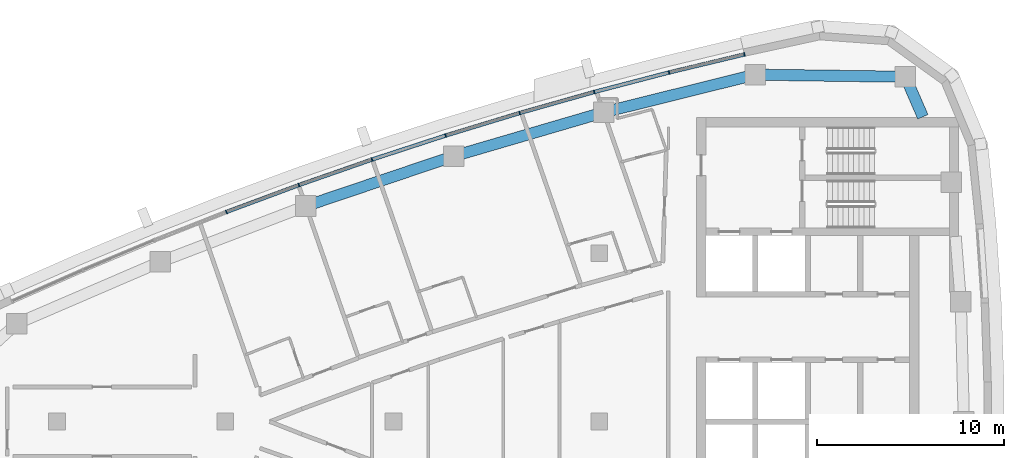
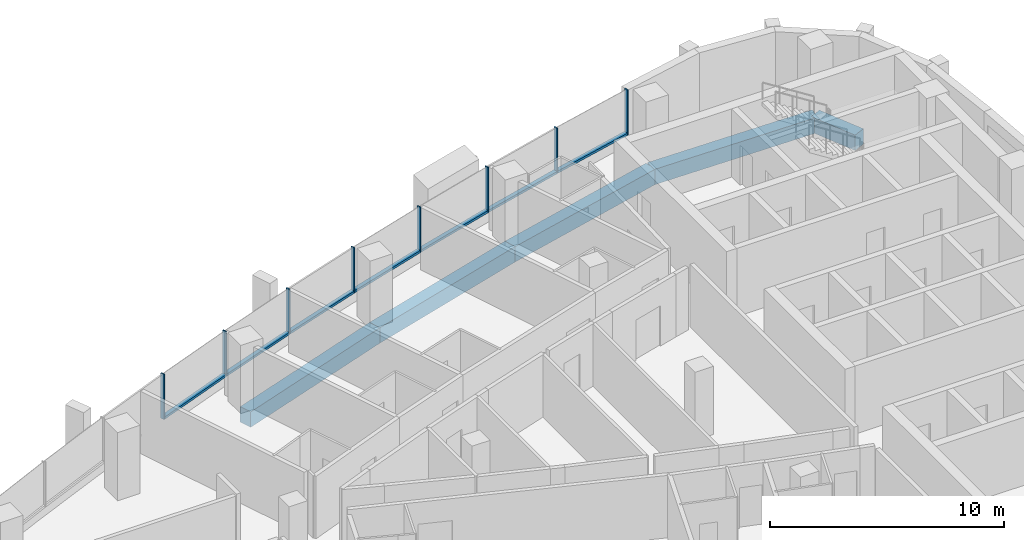
# One storey, part 5 of 14: 15 members, 5 beams, 4 elements without a shape of their own.
"""IFC4 building model written with IfcOpenShell, lengths in metres."""

from ifc_helpers import new_model, si_unit, direction, frame, origin, origin_2d, place, context, subcontext, project, spatial, rectangle, extrude, material, layer, layer_set, material_profile, profile_set, type_object, element, aggregate, save


model = new_model("IFC4")

# Units and contexts
model_context = context("Model", 3, precision=1e-05, world=origin(), true_north=direction((0.0, 1.0)))
body_context = subcontext(model_context, "Body", "Model", "MODEL_VIEW")
ifc_project = project(units=[si_unit("LENGTHUNIT", "METRE"), si_unit("AREAUNIT", "SQUARE_METRE"), si_unit("VOLUMEUNIT", "CUBIC_METRE"), si_unit("PLANEANGLEUNIT", "RADIAN"), si_unit("MASSUNIT", "GRAM", prefix="KILO")], contexts=[model_context])

# Site, building, storey
site_placement = place(None, origin())
site = spatial("IfcSite", under=ifc_project, at=site_placement, CompositionType="ELEMENT")
building_placement = place(site_placement, origin())
building = spatial("IfcBuilding", under=site, at=building_placement, Name="Ostrand Prow Hotel Tower", CompositionType="ELEMENT")
storey_placement = place(building_placement, frame((0.0, 0.0, 296.300048828125)))
storey = spatial("IfcBuildingStorey", under=building, at=storey_placement, Name="L75", CompositionType="ELEMENT", Elevation=296.300048828125)

# Beams
ifc_material_1 = material(Name="Concrete C50/60", Category="concrete")
ifc_material_profile_1 = material_profile(ifc_material_1, rectangle(XDim=0.60009765625, YDim=0.800048828125, at=origin_2d()), Name="RC 600x800")
ifc_profile_set_1 = profile_set([ifc_material_profile_1], Name="Concrete C50/60")
beam_type = type_object("IfcBeamType", Name="Edge beam 600x800 C50/60", PredefinedType="SPANDREL", material=ifc_profile_set_1)
beam_1_placement = place(storey_placement, frame((62.304931640625, 16.300048828125, -0.699951171875), z_axis=(-0.398863844187, 0.91701016014, 0.0), x_axis=(-0.91701016014, -0.398863844187, 0.0)))
element("IfcBeam", 1, at=beam_1_placement, inside=storey, type_object=beam_type, Name="Edge beam B5-NE", PredefinedType="SPANDREL", context=body_context, shape_type="SweptSolid", body=[
    extrude(rectangle(XDim=0.60009765625, YDim=0.800048828125, at=origin_2d()), origin(), (0.0, 0.0, 1.0), 2.333251953125),
])
beam_2_placement = place(storey_placement, frame((61.374267578125, 18.439697265625, -0.699951171875), z_axis=(-0.999900689486, 0.014092947356, 0.0), x_axis=(-0.014092947356, -0.999900689486, 0.0)))
element("IfcBeam", 2, at=beam_2_placement, inside=storey, type_object=beam_type, Name="Edge beam NE-N1", PredefinedType="SPANDREL", context=body_context, shape_type="SweptSolid", body=[
    extrude(rectangle(XDim=0.60009765625, YDim=0.800048828125, at=origin_2d()), origin(), (0.0, 0.0, 1.0), 8.0380859375),
])
for number, where, z_axis, x_axis, name in (
    (3, (53.3369140625, 18.552978515625, -0.699951171875), (-0.970456465292, -0.241276291775, 0.0), (0.241276291775, -0.970456465292, 0.0), "Edge beam N1-N2"),
    (4, (45.234619140625, 16.53857421875, -0.699951171875), (-0.959821966031, -0.280609681809, 0.0), (0.280609681809, -0.959821966031, 0.0), "Edge beam N2-N3"),
    (5, (37.22119140625, 14.19580078125, -0.699951171875), (-0.947575089419, -0.319533174981, 0.0), (0.319533174981, -0.947575089419, 0.0), "Edge beam N3-N4"),
):
    element("IfcBeam", number, at=place(storey_placement, frame(where, z_axis=z_axis, x_axis=x_axis)), inside=storey, type_object=beam_type, Name=name, PredefinedType="SPANDREL", context=body_context, shape_type="SweptSolid", body=[
        extrude(rectangle(XDim=0.60009765625, YDim=0.800048828125, at=origin_2d()), origin(), (0.0, 0.0, 1.0), 8.348876953125),
    ])

# Curtain wall, members
ifc_material_2 = material(Name="Insulated glass in bronze anodised frame", Category="glass")
ifc_layer = layer(ifc_material_2, 0.199951171875)
ifc_layer_set = layer_set([ifc_layer], Name="Insulated glass in bronze anodised frame")
curtain_wall_type = type_object("IfcCurtainWallType", Name="Strip curtain wall, fritted glass over bronze spandrel", PredefinedType="NOTDEFINED", material=ifc_layer_set)
curtain_wall_1_placement = place(storey_placement, origin())
curtain_wall_1 = element("IfcCurtainWall", 6, at=curtain_wall_1_placement, inside=storey, type_object=curtain_wall_type, Name="CW1 run CWN1", PredefinedType="NOTDEFINED")
ifc_material_3 = material(Name="Bronze anodised aluminium", Category="aluminium")
ifc_material_profile_2 = material_profile(ifc_material_3, rectangle(XDim=0.199951171875, YDim=0.06005859375, at=origin_2d()), Name="Mullion 60x200 bronze anodised aluminium")
ifc_profile_set_2 = profile_set([ifc_material_profile_2], Name="Bronze anodised aluminium")
member_type_1 = type_object("IfcMemberType", Name="Mullion 60x200 bronze anodised aluminium", PredefinedType="MULLION", material=ifc_profile_set_2)
member_1_placement = place(storey_placement, frame((52.7607421875, 19.634521484375, 0.89990234375), z_axis=(0.0, 0.0, 1.0), x_axis=(0.232746096028, -0.972537533869, 0.0)))
member_1 = element("IfcMember", 7, at=member_1_placement, type_object=member_type_1, Name="CW1 mullion 1", PredefinedType="MULLION", context=body_context, shape_type="SweptSolid", body=[
    extrude(rectangle(XDim=0.199951171875, YDim=0.06005859375, at=origin_2d()), origin(), (0.0, 0.0, 1.0), 2.35009765625),
])
member_2_placement = place(storey_placement, frame((48.734619140625, 18.6708984375, 0.89990234375), z_axis=(0.0, 0.0, 1.0), x_axis=(0.252248384867, -0.967662519855, 0.0)))
member_2 = element("IfcMember", 8, at=member_2_placement, type_object=member_type_1, Name="CW1 mullion 2", PredefinedType="MULLION", context=body_context, shape_type="SweptSolid", body=[
    extrude(rectangle(XDim=0.199951171875, YDim=0.06005859375, at=origin_2d()), origin(), (0.0, 0.0, 1.0), 2.35009765625),
])
member_3_placement = place(storey_placement, frame((44.728515625, 17.626708984375, 0.89990234375), z_axis=(0.0, 0.0, 1.0), x_axis=(0.252248384867, -0.967662519855, 0.0)))
member_3 = element("IfcMember", 9, at=member_3_placement, type_object=member_type_1, Name="CW1 mullion 3", PredefinedType="MULLION", context=body_context, shape_type="SweptSolid", body=[
    extrude(rectangle(XDim=0.199951171875, YDim=0.06005859375, at=origin_2d()), origin(), (0.0, 0.0, 1.0), 2.35009765625),
])

curtain_wall_2_placement = place(storey_placement, origin())
curtain_wall_2 = element("IfcCurtainWall", 10, at=curtain_wall_2_placement, inside=storey, type_object=curtain_wall_type, Name="CW1 run CWN2", PredefinedType="NOTDEFINED")
member_4_placement = place(storey_placement, frame((40.744384765625, 16.502197265625, 0.89990234375), z_axis=(0.0, 0.0, 1.0), x_axis=(0.290937648411, -0.956742015769, 0.0)))
member_4 = element("IfcMember", 11, at=member_4_placement, type_object=member_type_1, Name="CW1 mullion 2", PredefinedType="MULLION", context=body_context, shape_type="SweptSolid", body=[
    extrude(rectangle(XDim=0.199951171875, YDim=0.06005859375, at=origin_2d()), origin(), (0.0, 0.0, 1.0), 2.35009765625),
])
member_5_placement = place(storey_placement, frame((36.78369140625, 15.297607421875, 0.89990234375), z_axis=(0.0, 0.0, 1.0), x_axis=(0.290937648411, -0.956742015769, 0.0)))
member_5 = element("IfcMember", 12, at=member_5_placement, type_object=member_type_1, Name="CW1 mullion 3", PredefinedType="MULLION", context=body_context, shape_type="SweptSolid", body=[
    extrude(rectangle(XDim=0.199951171875, YDim=0.06005859375, at=origin_2d()), origin(), (0.0, 0.0, 1.0), 2.35009765625),
])

curtain_wall_3_placement = place(storey_placement, origin())
curtain_wall_3 = element("IfcCurtainWall", 13, at=curtain_wall_3_placement, inside=storey, type_object=curtain_wall_type, Name="CW1 run CWN3", PredefinedType="NOTDEFINED")
member_6_placement = place(storey_placement, frame((32.84814453125, 14.013916015625, 0.89990234375), z_axis=(0.0, 0.0, 1.0), x_axis=(0.329158370885, -0.944274730614, 0.0)))
member_6 = element("IfcMember", 14, at=member_6_placement, type_object=member_type_1, Name="CW1 mullion 2", PredefinedType="MULLION", context=body_context, shape_type="SweptSolid", body=[
    extrude(rectangle(XDim=0.199951171875, YDim=0.06005859375, at=origin_2d()), origin(), (0.0, 0.0, 1.0), 2.35009765625),
])
member_7_placement = place(storey_placement, frame((28.93896484375, 12.6513671875, 0.89990234375), z_axis=(0.0, 0.0, 1.0), x_axis=(0.329158370885, -0.944274730614, 0.0)))
member_7 = element("IfcMember", 15, at=member_7_placement, type_object=member_type_1, Name="CW1 mullion 3", PredefinedType="MULLION", context=body_context, shape_type="SweptSolid", body=[
    extrude(rectangle(XDim=0.199951171875, YDim=0.06005859375, at=origin_2d()), origin(), (0.0, 0.0, 1.0), 2.35009765625),
])

# Curtain wall, member
curtain_wall_4_placement = place(storey_placement, origin())
curtain_wall_4 = element("IfcCurtainWall", 16, at=curtain_wall_4_placement, inside=storey, type_object=curtain_wall_type, Name="CW1 run CWN4", PredefinedType="NOTDEFINED")
member_8_placement = place(storey_placement, frame((25.05810546875, 11.210205078125, 0.89990234375), z_axis=(0.0, 0.0, 1.0), x_axis=(0.366845465248, -0.930281895249, 0.0)))
member_8 = element("IfcMember", 17, at=member_8_placement, type_object=member_type_1, Name="CW1 mullion 2", PredefinedType="MULLION", context=body_context, shape_type="SweptSolid", body=[
    extrude(rectangle(XDim=0.199951171875, YDim=0.06005859375, at=origin_2d()), origin(), (0.0, 0.0, 1.0), 2.35009765625),
])

# Member
ifc_material_4 = material(Name="Bronze anodised aluminium", Category="aluminium")
ifc_material_profile_3 = material_profile(ifc_material_4, rectangle(XDim=0.199951171875, YDim=0.1201171875, at=origin_2d()), Name="Transom 120x200 bronze anodised aluminium")
ifc_profile_set_3 = profile_set([ifc_material_profile_3], Name="Bronze anodised aluminium")
member_type_2 = type_object("IfcMemberType", Name="Transom 120x200 bronze anodised aluminium", PredefinedType="USERDEFINED", material=ifc_profile_set_3)
member_9_placement = place(storey_placement, frame((52.7314453125, 19.62744140625, 0.9599609375), z_axis=(-0.972542980558, -0.232723335675, 0.0), x_axis=(0.232723335675, -0.972542980558, 0.0)))
member_9 = element("IfcMember", 18, at=member_9_placement, type_object=member_type_2, Name="CW1 transom 1.1", ObjectType="TRANSOM", PredefinedType="USERDEFINED", context=body_context, shape_type="SweptSolid", body=[
    extrude(rectangle(XDim=0.199951171875, YDim=0.1201171875, at=origin_2d()), origin(), (0.0, 0.0, 1.0), 4.079833984375),
])

member_10_placement = place(storey_placement, frame((48.70556640625, 18.663330078125, 0.9599609375), z_axis=(-0.967664917891, -0.252239185461, 0.0), x_axis=(0.252239185461, -0.967664917891, 0.0)))
member_10 = element("IfcMember", 19, at=member_10_placement, type_object=member_type_2, Name="CW1 transom 2.1", ObjectType="TRANSOM", PredefinedType="USERDEFINED", context=body_context, shape_type="SweptSolid", body=[
    extrude(rectangle(XDim=0.199951171875, YDim=0.1201171875, at=origin_2d()), origin(), (0.0, 0.0, 1.0), 4.07958984375),
])

aggregate(curtain_wall_1, [member_1, member_2, member_3, member_9, member_10])

member_11_placement = place(storey_placement, frame((44.69970703125, 17.61865234375, 0.9599609375), z_axis=(-0.962386308628, -0.271684730828, 0.0), x_axis=(0.271684730828, -0.962386308628, 0.0)))
member_11 = element("IfcMember", 20, at=member_11_placement, type_object=member_type_2, Name="CW1 transom 1.1", ObjectType="TRANSOM", PredefinedType="USERDEFINED", context=body_context, shape_type="SweptSolid", body=[
    extrude(rectangle(XDim=0.199951171875, YDim=0.1201171875, at=origin_2d()), origin(), (0.0, 0.0, 1.0), 4.079833984375),
])

member_12_placement = place(storey_placement, frame((40.7158203125, 16.493408203125, 0.9599609375), z_axis=(-0.956739081124, -0.290947298751, 0.0), x_axis=(0.290947298751, -0.956739081124, 0.0)))
member_12 = element("IfcMember", 21, at=member_12_placement, type_object=member_type_2, Name="CW1 transom 2.1", ObjectType="TRANSOM", PredefinedType="USERDEFINED", context=body_context, shape_type="SweptSolid", body=[
    extrude(rectangle(XDim=0.199951171875, YDim=0.1201171875, at=origin_2d()), origin(), (0.0, 0.0, 1.0), 4.079833984375),
])

aggregate(curtain_wall_2, [member_4, member_5, member_11, member_12])

member_13_placement = place(storey_placement, frame((36.75537109375, 15.288330078125, 0.9599609375), z_axis=(-0.950704145978, -0.310099382165, 0.0), x_axis=(0.310099382165, -0.950704145978, 0.0)))
member_13 = element("IfcMember", 22, at=member_13_placement, type_object=member_type_2, Name="CW1 transom 1.1", ObjectType="TRANSOM", PredefinedType="USERDEFINED", context=body_context, shape_type="SweptSolid", body=[
    extrude(rectangle(XDim=0.199951171875, YDim=0.1201171875, at=origin_2d()), origin(), (0.0, 0.0, 1.0), 4.079833984375),
])

member_14_placement = place(storey_placement, frame((32.81982421875, 14.004150390625, 0.9599609375), z_axis=(-0.944268108385, -0.329177367822, 0.0), x_axis=(0.329177367822, -0.944268108385, 0.0)))
member_14 = element("IfcMember", 23, at=member_14_placement, type_object=member_type_2, Name="CW1 transom 2.1", ObjectType="TRANSOM", PredefinedType="USERDEFINED", context=body_context, shape_type="SweptSolid", body=[
    extrude(rectangle(XDim=0.199951171875, YDim=0.1201171875, at=origin_2d()), origin(), (0.0, 0.0, 1.0), 4.079833984375),
])

aggregate(curtain_wall_3, [member_6, member_7, member_13, member_14])

member_15_placement = place(storey_placement, frame((28.910888671875, 12.640869140625, 0.9599609375), z_axis=(-0.937460424566, -0.348091873465, 0.0), x_axis=(0.348091873465, -0.937460424566, 0.0)))
member_15 = element("IfcMember", 24, at=member_15_placement, type_object=member_type_2, Name="CW1 transom 1.1", ObjectType="TRANSOM", PredefinedType="USERDEFINED", context=body_context, shape_type="SweptSolid", body=[
    extrude(rectangle(XDim=0.199951171875, YDim=0.1201171875, at=origin_2d()), origin(), (0.0, 0.0, 1.0), 4.079833984375),
])

aggregate(curtain_wall_4, [member_8, member_15])

save(model, "model.ifc")
